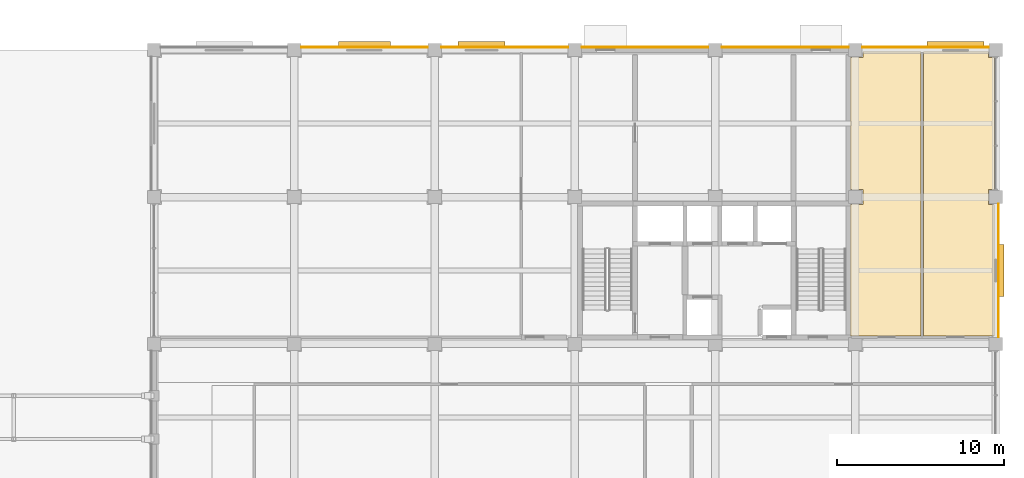
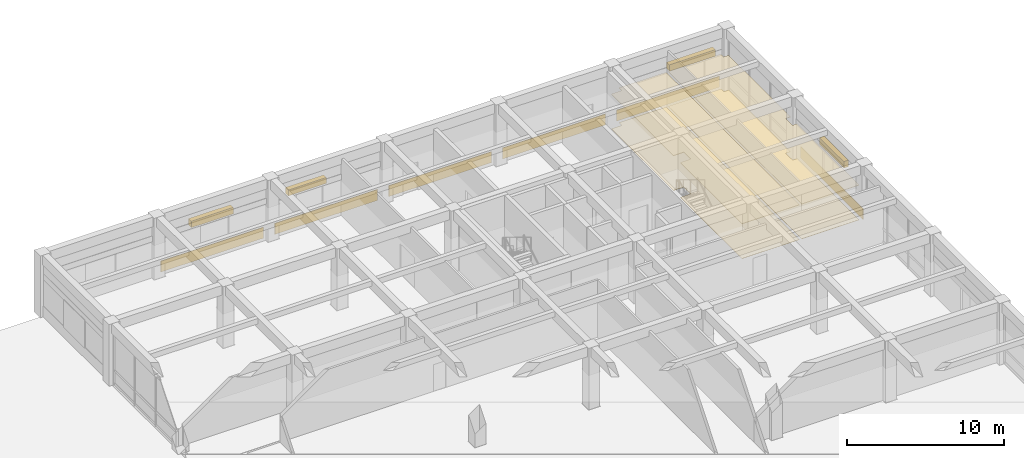
# One storey, part 58 of 58: 10 coverings, 4 shading devices.
"""IFC4 building model written with IfcOpenShell, lengths in metres."""

from ifc_helpers import new_model, si_unit, direction, frame, origin, origin_2d, place, context, subcontext, project, spatial, polyline, rectangle, outline, extrude, material, layer, layer_set, type_object, element, save


model = new_model("IFC4")

# Units and contexts
model_context = context("Model", 3, precision=1e-05, world=origin(), true_north=direction((0.0, 1.0)))
body_context = subcontext(model_context, "Body", "Model", "MODEL_VIEW")
ifc_project = project(units=[si_unit("LENGTHUNIT", "METRE"), si_unit("AREAUNIT", "SQUARE_METRE"), si_unit("VOLUMEUNIT", "CUBIC_METRE"), si_unit("PLANEANGLEUNIT", "RADIAN"), si_unit("MASSUNIT", "GRAM", prefix="KILO")], contexts=[model_context])

# Site, building, storey
site_placement = place(None, origin())
site = spatial("IfcSite", under=ifc_project, at=site_placement, CompositionType="ELEMENT")
building_placement = place(site_placement, origin())
building = spatial("IfcBuilding", under=site, at=building_placement, Name="Kemercrest Conservatory and Botanical Centre", CompositionType="ELEMENT")
storey_placement = place(building_placement, origin())
storey = spatial("IfcBuildingStorey", under=building, at=storey_placement, Name="L00", CompositionType="ELEMENT", Elevation=0.0)

# Coverings
ifc_material_1 = material(Name="Honed limestone almasik ashlar rainscreen", Category="masonry")
ifc_layer_1 = layer(ifc_material_1, 0.0400390625)
ifc_layer_set_1 = layer_set([ifc_layer_1], Name="Honed limestone almasik ashlar rainscreen")
covering_type_1 = type_object("IfcCoveringType", Name="CV-CLD040", PredefinedType="CLADDING", material=ifc_layer_set_1)
covering_1_placement = place(storey_placement, origin())
element("IfcCovering", 1, at=covering_1_placement, inside=storey, type_object=covering_type_1, Name="Exterior stone spandrel cladding (WAL:L00:EXT-163)", PredefinedType="CLADDING", context=body_context, shape_type="SweptSolid", body=[
    extrude(outline(polyline([(176.14990234375, 105.2099609375), (176.18994140625, 105.2099609375), (176.18994140625, 113.18994140625), (176.14990234375, 113.18994140625), (176.14990234375, 105.2099609375)])), origin(), (0.0, 0.0, 1.0), 0.85009765625),
])
covering_2_placement = place(storey_placement, origin())
element("IfcCovering", 2, at=covering_2_placement, inside=storey, type_object=covering_type_1, Name="Exterior stone spandrel cladding (WAL:L00:EXT-164)", PredefinedType="CLADDING", context=body_context, shape_type="SweptSolid", body=[
    extrude(outline(polyline([(175.590087890625, 122.550048828125), (175.590087890625, 122.590087890625), (168.010009765625, 122.590087890625), (168.010009765625, 122.550048828125), (175.590087890625, 122.550048828125)])), origin(), (0.0, 0.0, 1.0), 0.85009765625),
])
covering_3_placement = place(storey_placement, origin())
element("IfcCovering", 3, at=covering_3_placement, inside=storey, type_object=covering_type_1, Name="Exterior stone spandrel cladding (WAL:L00:EXT-165)", PredefinedType="CLADDING", context=body_context, shape_type="SweptSolid", body=[
    extrude(outline(polyline([(167.18994140625, 122.550048828125), (167.18994140625, 122.590087890625), (159.610107421875, 122.590087890625), (159.610107421875, 122.550048828125), (167.18994140625, 122.550048828125)])), origin(), (0.0, 0.0, 1.0), 0.85009765625),
])
covering_4_placement = place(storey_placement, origin())
element("IfcCovering", 4, at=covering_4_placement, inside=storey, type_object=covering_type_1, Name="Exterior stone spandrel cladding (WAL:L00:EXT-166)", PredefinedType="CLADDING", context=body_context, shape_type="SweptSolid", body=[
    extrude(outline(polyline([(158.7900390625, 122.550048828125), (158.7900390625, 122.590087890625), (151.2099609375, 122.590087890625), (151.2099609375, 122.550048828125), (158.7900390625, 122.550048828125)])), origin(), (0.0, 0.0, 1.0), 0.85009765625),
])
covering_5_placement = place(storey_placement, origin())
element("IfcCovering", 5, at=covering_5_placement, inside=storey, type_object=covering_type_1, Name="Exterior stone spandrel cladding (WAL:L00:EXT-167)", PredefinedType="CLADDING", context=body_context, shape_type="SweptSolid", body=[
    extrude(outline(polyline([(150.389892578125, 122.550048828125), (150.389892578125, 122.590087890625), (142.81005859375, 122.590087890625), (142.81005859375, 122.550048828125), (150.389892578125, 122.550048828125)])), origin(), (0.0, 0.0, 1.0), 0.85009765625),
])
covering_6_placement = place(storey_placement, origin())
element("IfcCovering", 6, at=covering_6_placement, inside=storey, type_object=covering_type_1, Name="Exterior stone spandrel cladding (WAL:L00:EXT-168)", PredefinedType="CLADDING", context=body_context, shape_type="SweptSolid", body=[
    extrude(outline(polyline([(141.989990234375, 122.550048828125), (141.989990234375, 122.590087890625), (134.409912109375, 122.590087890625), (134.409912109375, 122.550048828125), (141.989990234375, 122.550048828125)])), origin(), (0.0, 0.0, 1.0), 0.85009765625),
])
ifc_material_2 = material(Name="Perforated acoustic gypsum and mineral-fibre suspended ceiling", Category="gypsum")
ifc_layer_2 = layer(ifc_material_2, 0.034912109375)
ifc_layer_set_2 = layer_set([ifc_layer_2], Name="Perforated acoustic gypsum and mineral-fibre suspended ceiling")
covering_type_2 = type_object("IfcCoveringType", Name="CV-CLG035", PredefinedType="CEILING", material=ifc_layer_set_2)
covering_7_placement = place(storey_placement, frame((0.0, 0.0, 2.699951171875)))
element("IfcCovering", 7, at=covering_7_placement, inside=storey, type_object=covering_type_2, Name="Public Washroom suspended acoustic ceiling", PredefinedType="CEILING", context=body_context, shape_type="SweptSolid", body=[
    extrude(outline(polyline([(167.280029296875, 105.280029296875), (171.52001953125, 105.280029296875), (171.52001953125, 122.320068359375), (168.0400390625, 122.320068359375), (168.0400390625, 121.9599609375), (167.280029296875, 121.9599609375), (167.280029296875, 114.0400390625), (168.0400390625, 114.0400390625), (168.0400390625, 113.159912109375), (167.280029296875, 113.159912109375), (167.280029296875, 105.280029296875)])), origin(), (0.0, 0.0, 1.0), 0.03515625),
])
covering_8_placement = place(storey_placement, frame((0.0, 0.0, 2.699951171875)))
element("IfcCovering", 8, at=covering_8_placement, inside=storey, type_object=covering_type_2, Name="Universal Accessible Washroom suspended acoustic ceiling", PredefinedType="CEILING", context=body_context, shape_type="SweptSolid", body=[
    extrude(outline(polyline([(171.679931640625, 105.280029296875), (175.919921875, 105.280029296875), (175.919921875, 113.159912109375), (175.56005859375, 113.159912109375), (175.56005859375, 114.0400390625), (175.919921875, 114.0400390625), (175.919921875, 121.9599609375), (175.56005859375, 121.9599609375), (175.56005859375, 122.320068359375), (171.679931640625, 122.320068359375), (171.679931640625, 105.280029296875)])), origin(), (0.0, 0.0, 1.0), 0.03515625),
])
ifc_material_3 = material(Name="Polished limestone terrazzo and seamless laboratory epoxy flooring", Category="masonry")
ifc_layer_3 = layer(ifc_material_3, 0.02001953125)
ifc_layer_set_3 = layer_set([ifc_layer_3], Name="Polished limestone terrazzo and seamless laboratory epoxy flooring")
covering_type_3 = type_object("IfcCoveringType", Name="CV-FLR020", PredefinedType="FLOORING", material=ifc_layer_set_3)
covering_9_placement = place(storey_placement, origin())
element("IfcCovering", 9, at=covering_9_placement, inside=storey, type_object=covering_type_3, Name="Public Washroom floor finish", PredefinedType="FLOORING", context=body_context, shape_type="SweptSolid", body=[
    extrude(outline(polyline([(167.280029296875, 105.280029296875), (171.52001953125, 105.280029296875), (171.52001953125, 122.320068359375), (168.0400390625, 122.320068359375), (168.0400390625, 121.9599609375), (167.280029296875, 121.9599609375), (167.280029296875, 114.0400390625), (168.0400390625, 114.0400390625), (168.0400390625, 113.159912109375), (167.280029296875, 113.159912109375), (167.280029296875, 105.280029296875)])), origin(), (0.0, 0.0, 1.0), 0.02001953125),
])
covering_10_placement = place(storey_placement, origin())
element("IfcCovering", 10, at=covering_10_placement, inside=storey, type_object=covering_type_3, Name="Universal Accessible Washroom floor finish", PredefinedType="FLOORING", context=body_context, shape_type="SweptSolid", body=[
    extrude(outline(polyline([(171.679931640625, 105.280029296875), (175.919921875, 105.280029296875), (175.919921875, 113.159912109375), (175.56005859375, 113.159912109375), (175.56005859375, 114.0400390625), (175.919921875, 114.0400390625), (175.919921875, 121.9599609375), (175.56005859375, 121.9599609375), (175.56005859375, 122.320068359375), (171.679931640625, 122.320068359375), (171.679931640625, 105.280029296875)])), origin(), (0.0, 0.0, 1.0), 0.02001953125),
])

# Shading devices
ifc_material_4 = material(Name="Architectural bronze-anodized extruded aluminium", Category="aluminium")
shading_device_type_1 = type_object("IfcShadingDeviceType", Name="SH-JL03", PredefinedType="JALOUSIE", material=ifc_material_4)
shading_device_1_placement = place(storey_placement, frame((145.205078125, 122.722900390625, 2.65478515625), z_axis=(0.0, 0.0, 1.0), x_axis=(-1.0, 0.0, 0.0)))
element("IfcShadingDevice", 11, at=shading_device_1_placement, inside=storey, type_object=shading_device_type_1, Name="Solar control louvre visor SH-JL03 (WIN:L00:EXT-167)", PredefinedType="JALOUSIE", context=body_context, shape_type="SweptSolid", body=[
    extrude(rectangle(XDim=2.800048828125, YDim=0.35009765625, at=origin_2d()), origin(), (0.0, 0.0, 1.0), 0.449951171875),
])
shading_device_type_2 = type_object("IfcShadingDeviceType", Name="SH-JL04", PredefinedType="JALOUSIE", material=ifc_material_4)
for number, where, z_axis, x_axis, name in (
    (12, (176.322998046875, 109.199951171875, 2.530029296875), (0.0, 0.0, 1.0), (0.0, 1.0, 0.0), "Solar control louvre visor SH-JL04 (WIN:L00:EXT-163)"),
    (13, (138.199951171875, 122.722900390625, 2.679931640625), (0.0, 0.0, 1.0), (-1.0, 0.0, 0.0), "Solar control louvre visor SH-JL04 (WIN:L00:EXT-168)"),
):
    element("IfcShadingDevice", number, at=place(storey_placement, frame(where, z_axis=z_axis, x_axis=x_axis)), inside=storey, type_object=shading_device_type_2, Name=name, PredefinedType="JALOUSIE", context=body_context, shape_type="SweptSolid", body=[
        extrude(rectangle(XDim=3.10009765625, YDim=0.35009765625, at=origin_2d()), origin(), (0.0, 0.0, 1.0), 0.5),
    ])
shading_device_type_3 = type_object("IfcShadingDeviceType", Name="SH-JL05", PredefinedType="JALOUSIE", material=ifc_material_4)
shading_device_2_placement = place(storey_placement, frame((173.594970703125, 122.722900390625, 2.530029296875), z_axis=(0.0, 0.0, 1.0), x_axis=(-1.0, 0.0, 0.0)))
element("IfcShadingDevice", 14, at=shading_device_2_placement, inside=storey, type_object=shading_device_type_3, Name="Solar control louvre visor SH-JL05 (WIN:L00:EXT-164)", PredefinedType="JALOUSIE", context=body_context, shape_type="SweptSolid", body=[
    extrude(rectangle(XDim=3.39990234375, YDim=0.35009765625, at=origin_2d()), origin(), (0.0, 0.0, 1.0), 0.5),
])

save(model, "model.ifc")
